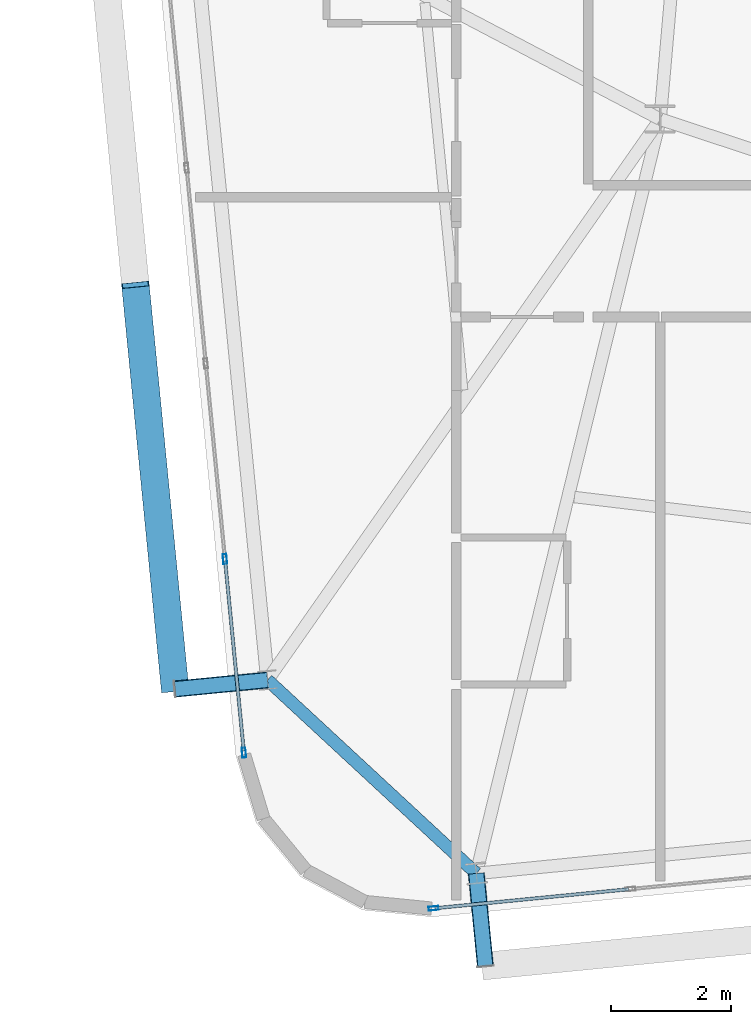
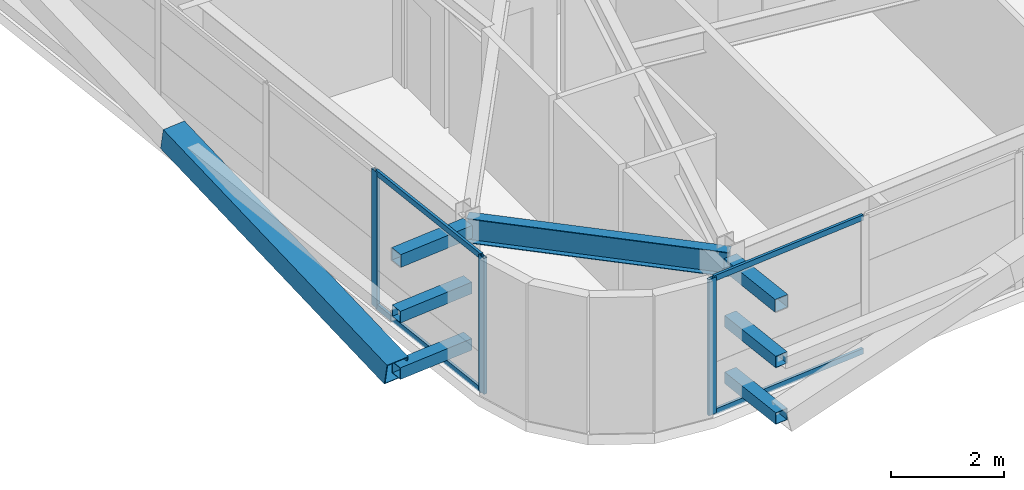
# One storey, part 5 of 53: 14 members, 1 beam, 2 elements without a shape of their own.
"""IFC4 building model written with IfcOpenShell, lengths in metres."""

from ifc_helpers import new_model, si_unit, direction, frame, origin, origin_2d, place, context, subcontext, project, spatial, hollow_rectangle, i_section, extrude, source, transform, mapped, material, layer, layer_set, material_profile, profile_set, type_object, element, aggregate, save


model = new_model("IFC4")

# Units and contexts
model_context = context("Model", 3, precision=1e-05, world=origin(), true_north=direction((0.0, 1.0)))
body_context = subcontext(model_context, "Body", "Model", "MODEL_VIEW")
ifc_project = project(units=[si_unit("LENGTHUNIT", "METRE"), si_unit("AREAUNIT", "SQUARE_METRE"), si_unit("VOLUMEUNIT", "CUBIC_METRE"), si_unit("PLANEANGLEUNIT", "RADIAN"), si_unit("MASSUNIT", "GRAM", prefix="KILO")], contexts=[model_context])

# Site, building, storey
site_placement = place(None, origin())
site = spatial("IfcSite", under=ifc_project, at=site_placement, CompositionType="ELEMENT")
building_placement = place(site_placement, origin())
building = spatial("IfcBuilding", under=site, at=building_placement, Name="Taldren Reach Tower", CompositionType="ELEMENT")
storey_placement = place(building_placement, frame((0.0, 0.0, 68.25)))
storey = spatial("IfcBuildingStorey", under=building, at=storey_placement, Name="L20", CompositionType="ELEMENT", Elevation=68.25)

# Beam
ifc_material_1 = material(Name="Steel Gr 350 (350PLUS)", Category="steel")
ifc_material_profile_1 = material_profile(ifc_material_1, i_section(OverallWidth=0.208984375, OverallDepth=0.528076171875, WebThickness=0.009521484375, FlangeThickness=0.01318359375, at=origin_2d()), Name="530UB82.0")
ifc_profile_set_1 = profile_set([ifc_material_profile_1], Name="Steel Gr 350 (350PLUS)")
beam_type = type_object("IfcBeamType", Name="SP-UB530B", PredefinedType="SPANDREL", material=ifc_profile_set_1)
shared_shape_1 = source(origin(), body_context, "Body", "SweptSolid", [
    extrude(i_section(OverallWidth=0.208984375, OverallDepth=0.528076171875, WebThickness=0.009521484375, FlangeThickness=0.01318359375, at=origin_2d()), origin(), (0.0, 0.0, 1.0), 4.745849609375),
])
beam_placement = place(storey_placement, frame((11.452880859375, 3.145751953125, 2.666015625), z_axis=(0.733524121458, -0.679663419083, 0.0), x_axis=(0.679663419083, 0.733524121458, 0.0)))
element("IfcBeam", 1, at=beam_placement, inside=storey, type_object=beam_type, Name="Perimeter spandrel B2 W1-S1 L20", PredefinedType="SPANDREL", context=body_context, shape_type="MappedRepresentation", body=[
    mapped(shared_shape_1, transform((0.0, 0.0, 0.0), scale=1.0)),
])

# Members
ifc_material_2 = material(Name="Steel Gr 450 (C450L0)", Category="steel")
ifc_material_profile_2 = material_profile(ifc_material_2, hollow_rectangle(XDim=0.27490234375, YDim=0.27490234375, WallThickness=0.00927734375, at=origin_2d()), Name="275x275x9.3SHS")
ifc_profile_set_2 = profile_set([ifc_material_profile_2], Name="Steel Gr 450 (C450L0)")
member_type_1 = type_object("IfcMemberType", Name="MB-TIE273", PredefinedType="STRUT", material=ifc_profile_set_2)
shared_shape_2 = source(origin(), body_context, "Body", "SweptSolid", [
    extrude(hollow_rectangle(XDim=0.27490234375, YDim=0.27490234375, WallThickness=0.00927734375, at=origin_2d()), origin(), (0.0, 0.0, 1.0), 1.550048828125),
])
for number, where, z_axis, x_axis, name in (
    (2, (14.93408203125, -0.079833984375, 2.64990234375), (0.097647892962, -0.9952210252, 0.0), (0.9952210252, 0.097647892962, 0.0), "Exoskeleton diaphragm tie strut B2-S1 L20"),
    (3, (11.452880859375, 3.145751953125, 2.64990234375), (-0.995236318924, -0.097491894511, 0.0), (0.097491894511, -0.995236318924, 0.0), "Exoskeleton diaphragm tie strut B2-W1 L20"),
):
    element("IfcMember", number, at=place(storey_placement, frame(where, z_axis=z_axis, x_axis=x_axis)), inside=storey, type_object=member_type_1, Name=name, PredefinedType="STRUT", context=body_context, shape_type="MappedRepresentation", body=[
        mapped(shared_shape_2, transform((0.0, 0.0, 0.0), scale=1.0)),
    ])
ifc_material_3 = material(Name="Steel Gr 350 (C350L0)", Category="steel")
ifc_material_profile_3 = material_profile(ifc_material_3, hollow_rectangle(XDim=0.25, YDim=0.25, WallThickness=0.010009765625, at=origin_2d()), Name="250x250x10.0SHS")
ifc_profile_set_3 = profile_set([ifc_material_profile_3], Name="Steel Gr 350 (C350L0)")
member_type_2 = type_object("IfcMemberType", Name="MB-POST250", PredefinedType="POST", material=ifc_profile_set_3)
shared_shape_3 = source(origin(), body_context, "Body", "SweptSolid", [
    extrude(hollow_rectangle(XDim=0.25, YDim=0.25, WallThickness=0.010009765625, at=origin_2d()), origin(), (0.0, 0.0, 1.0), 1.550048828125),
])
for number, where, z_axis, x_axis, name in (
    (4, (14.93408203125, -0.079833984375, 0.219970703125), (0.097647892962, -0.9952210252, 0.0), (0.9952210252, 0.097647892962, 0.0), "Exoskeleton base diaphragm tie strut B2-S1 L20"),
    (5, (11.452880859375, 3.145751953125, 0.219970703125), (-0.995236318924, -0.097491894511, 0.0), (0.097491894511, -0.995236318924, 0.0), "Exoskeleton base diaphragm tie strut B2-W1 L20"),
    (6, (14.93408203125, -0.079833984375, 1.43505859375), (0.097647892962, -0.9952210252, 0.0), (0.9952210252, 0.097647892962, 0.0), "Exoskeleton mid-tier diaphragm tie B2-S1 L20"),
    (7, (11.452880859375, 3.145751953125, 1.43505859375), (-0.995236318924, -0.097491894511, 0.0), (0.097491894511, -0.995236318924, 0.0), "Exoskeleton mid-tier diaphragm tie B2-W1 L20"),
):
    element("IfcMember", number, at=place(storey_placement, frame(where, z_axis=z_axis, x_axis=x_axis)), inside=storey, type_object=member_type_2, Name=name, PredefinedType="POST", context=body_context, shape_type="MappedRepresentation", body=[
        mapped(shared_shape_3, transform((0.0, 0.0, 0.0), scale=1.0)),
    ])
ifc_material_profile_4 = material_profile(ifc_material_2, hollow_rectangle(XDim=0.4599609375, YDim=0.4599609375, WallThickness=0.01611328125, at=origin_2d()), Name="460x460x16.0SHS")
ifc_profile_set_4 = profile_set([ifc_material_profile_4], Name="Steel Gr 450 (C450L0)")
member_type_3 = type_object("IfcMemberType", Name="MB-EXO457", PredefinedType="BRACE", material=ifc_profile_set_4)
shared_shape_4 = source(origin(), body_context, "Body", "SweptSolid", [
    extrude(hollow_rectangle(XDim=0.4599609375, YDim=0.4599609375, WallThickness=0.01611328125, at=origin_2d()), origin(), (0.0, 0.0, 1.0), 6.883056640625),
])
member_1_placement = place(storey_placement, frame((9.91015625, 2.99462890625, 0.219970703125), z_axis=(-0.09605145821, 0.97959718347, 0.176531797456), x_axis=(-0.995227290009, -0.097584021339, 0.0)))
element("IfcMember", 8, at=member_1_placement, inside=storey, type_object=member_type_3, Name="Exoskeleton Diagrid Brace B2-W1 L20", PredefinedType="BRACE", context=body_context, shape_type="MappedRepresentation", body=[
    mapped(shared_shape_4, transform((0.0, 0.0, 0.0), scale=1.0)),
])

# Curtain wall, member
ifc_material_4 = material(Name="Aluminium and Low-E Glass Unitised System", Category="aluminium")
ifc_layer = layer(ifc_material_4, 0.159912109375)
ifc_layer_set = layer_set([ifc_layer], Name="Aluminium and Low-E Glass Unitised System")
curtain_wall_type = type_object("IfcCurtainWallType", Name="CW-SYS-3", PredefinedType="NOTDEFINED", material=ifc_layer_set)
curtain_wall_1_placement = place(storey_placement, origin())
curtain_wall_1 = element("IfcCurtainWall", 9, at=curtain_wall_1_placement, inside=storey, type_object=curtain_wall_type, Name="Unitised curtain wall CW-L20-S", PredefinedType="NOTDEFINED")
ifc_material_5 = material(Name="Anodised Aluminium 6063-T6", Category="aluminium")
ifc_material_profile_5 = material_profile(ifc_material_5, hollow_rectangle(XDim=0.06494140625, YDim=0.1650390625, WallThickness=0.00390625, at=origin_2d()), Name="ALU-165x65x4RHS")
ifc_profile_set_5 = profile_set([ifc_material_profile_5], Name="Anodised Aluminium 6063-T6")
member_type_4 = type_object("IfcMemberType", Name="CW-MUL-165", PredefinedType="MULLION", material=ifc_profile_set_5)
shared_shape_5 = source(origin(), body_context, "Body", "SweptSolid", [
    extrude(hollow_rectangle(XDim=0.06494140625, YDim=0.1650390625, WallThickness=0.00390625, at=origin_2d()), origin(), (0.0, 0.0, 1.0), 2.929931640625),
])
member_2_placement = place(storey_placement, frame((14.22021484375, -0.662353515625, 0.0), z_axis=(0.0, 0.0, 1.0), x_axis=(-0.097582999046, 0.995227390247, 0.0)))
member_2 = element("IfcMember", 10, at=member_2_placement, type_object=member_type_4, Name="CW-3 mullion 1", PredefinedType="MULLION", context=body_context, shape_type="MappedRepresentation", body=[
    mapped(shared_shape_5, transform((0.0, 0.0, 0.0), scale=1.0)),
])

# Curtain wall, members
curtain_wall_2_placement = place(storey_placement, origin())
curtain_wall_2 = element("IfcCurtainWall", 11, at=curtain_wall_2_placement, inside=storey, type_object=curtain_wall_type, Name="Unitised curtain wall CW-L20-W", PredefinedType="NOTDEFINED")
member_3_placement = place(storey_placement, frame((10.742431640625, 5.163818359375, 0.0), z_axis=(0.0, 0.0, 1.0), x_axis=(0.99522741555, 0.09758274098, 0.0)))
member_3 = element("IfcMember", 12, at=member_3_placement, type_object=member_type_4, Name="CW-3 mullion 9", PredefinedType="MULLION", context=body_context, shape_type="MappedRepresentation", body=[
    mapped(shared_shape_5, transform((0.0, 0.0, 0.0), scale=1.0)),
])
member_4_placement = place(storey_placement, frame((11.05908203125, 1.93408203125, 0.0), z_axis=(0.0, 0.0, 1.0), x_axis=(0.99522741555, 0.09758274098, 0.0)))
member_4 = element("IfcMember", 13, at=member_4_placement, type_object=member_type_4, Name="CW-3 mullion 10", PredefinedType="MULLION", context=body_context, shape_type="MappedRepresentation", body=[
    mapped(shared_shape_5, transform((0.0, 0.0, 0.0), scale=1.0)),
])

# Member
ifc_material_profile_6 = material_profile(ifc_material_5, hollow_rectangle(XDim=0.054931640625, YDim=0.1201171875, WallThickness=0.0029296875, at=origin_2d()), Name="ALU-120x55x3RHS")
ifc_profile_set_6 = profile_set([ifc_material_profile_6], Name="Anodised Aluminium 6063-T6")
member_type_5 = type_object("IfcMemberType", Name="CW-TRN-135", PredefinedType="USERDEFINED", material=ifc_profile_set_6)
shared_shape_6 = source(origin(), body_context, "Body", "SweptSolid", [
    extrude(hollow_rectangle(XDim=0.054931640625, YDim=0.1201171875, WallThickness=0.0029296875, at=origin_2d()), origin(), (0.0, 0.0, 1.0), 3.23583984375),
])
member_5_placement = place(storey_placement, frame((14.25244140625, -0.6591796875, 0.027587890625), z_axis=(0.995230248826, 0.097553840629, 0.0), x_axis=(-0.097553840629, 0.995230248826, 0.0)))
member_5 = element("IfcMember", 14, at=member_5_placement, type_object=member_type_5, Name="CW-3 transom 1.1", ObjectType="TRANSOM", PredefinedType="USERDEFINED", context=body_context, shape_type="MappedRepresentation", body=[
    mapped(shared_shape_6, transform((0.0, 0.0, 0.0), scale=1.0)),
])

member_6_placement = place(storey_placement, frame((14.25244140625, -0.6591796875, 2.902587890625), z_axis=(0.995230248826, 0.097553840629, 0.0), x_axis=(-0.097553840629, 0.995230248826, 0.0)))
member_6 = element("IfcMember", 15, at=member_6_placement, type_object=member_type_5, Name="CW-3 transom 1.2", ObjectType="TRANSOM", PredefinedType="USERDEFINED", context=body_context, shape_type="MappedRepresentation", body=[
    mapped(shared_shape_6, transform((0.0, 0.0, 0.0), scale=1.0)),
])

aggregate(curtain_wall_1, [member_2, member_5, member_6])

shared_shape_7 = source(origin(), body_context, "Body", "SweptSolid", [
    extrude(hollow_rectangle(XDim=0.054931640625, YDim=0.1201171875, WallThickness=0.0029296875, at=origin_2d()), origin(), (0.0, 0.0, 1.0), 3.180419921875),
])
member_7_placement = place(storey_placement, frame((10.74560546875, 5.131591796875, 0.027587890625), z_axis=(0.097565460739, -0.995229109738, 0.0), x_axis=(0.995229109738, 0.097565460739, 0.0)))
member_7 = element("IfcMember", 16, at=member_7_placement, type_object=member_type_5, Name="CW-3 transom 9.1", ObjectType="TRANSOM", PredefinedType="USERDEFINED", context=body_context, shape_type="MappedRepresentation", body=[
    mapped(shared_shape_7, transform((0.0, 0.0, 0.0), scale=1.0)),
])

member_8_placement = place(storey_placement, frame((10.74560546875, 5.131591796875, 2.902587890625), z_axis=(0.097565460739, -0.995229109738, 0.0), x_axis=(0.995229109738, 0.097565460739, 0.0)))
member_8 = element("IfcMember", 17, at=member_8_placement, type_object=member_type_5, Name="CW-3 transom 9.2", ObjectType="TRANSOM", PredefinedType="USERDEFINED", context=body_context, shape_type="MappedRepresentation", body=[
    mapped(shared_shape_7, transform((0.0, 0.0, 0.0), scale=1.0)),
])

aggregate(curtain_wall_2, [member_3, member_4, member_7, member_8])

save(model, "model.ifc")
